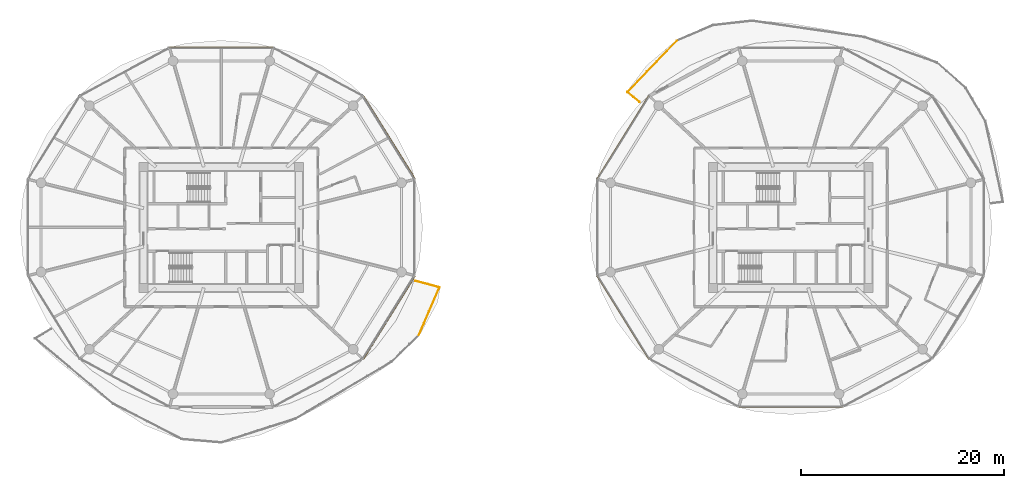
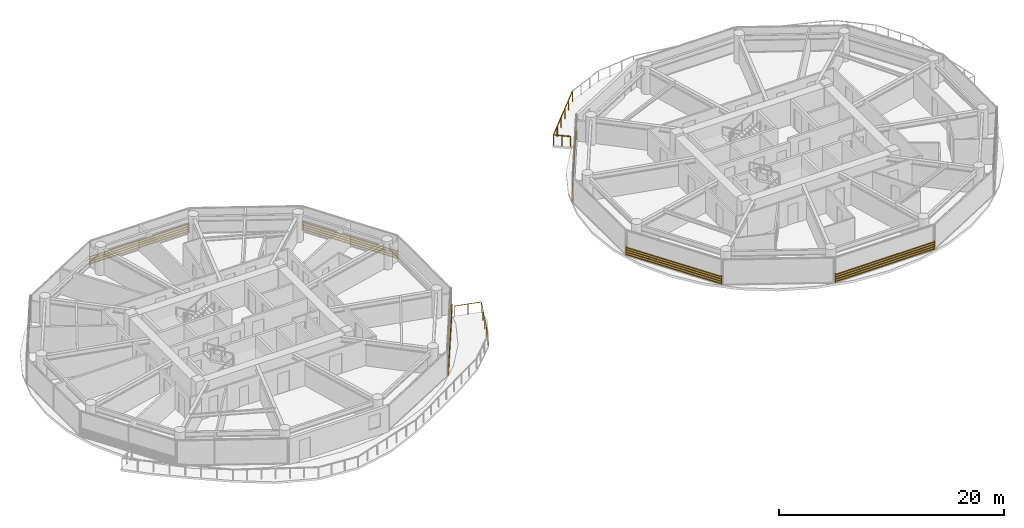
# One storey, part 24 of 26: 6 shading devices, 2 railings.
"""IFC4 building model written with IfcOpenShell, lengths in metres."""

from ifc_helpers import new_model, si_unit, direction, frame, origin, origin_2d, place, context, subcontext, project, spatial, rectangle, extrude, source, transform, mapped, material, type_object, type_shapes, element, save


model = new_model("IFC4")

# Units and contexts
model_context = context("Model", 3, precision=1e-05, world=origin(), true_north=direction((0.0, 1.0)))
body_context = subcontext(model_context, "Body", "Model", "MODEL_VIEW")
ifc_project = project(units=[si_unit("LENGTHUNIT", "METRE"), si_unit("AREAUNIT", "SQUARE_METRE"), si_unit("VOLUMEUNIT", "CUBIC_METRE"), si_unit("PLANEANGLEUNIT", "RADIAN"), si_unit("MASSUNIT", "GRAM", prefix="KILO")], contexts=[model_context])

# Site, building, storey
site_placement = place(None, origin())
site = spatial("IfcSite", under=ifc_project, at=site_placement, CompositionType="ELEMENT")
building_placement = place(site_placement, origin())
building = spatial("IfcBuilding", under=site, at=building_placement, Name="Norrkilde Senior Care Towers", CompositionType="ELEMENT")
storey_placement = place(building_placement, frame((0.0, 0.0, 49.050048828125)))
storey = spatial("IfcBuildingStorey", under=building, at=storey_placement, Name="L14", CompositionType="ELEMENT", Elevation=49.050048828125)

# Railings
ifc_material_1 = material(Name="Anodised Aluminium", Category="aluminium")
railing_type = type_object("IfcRailingType", Name="Balcony Swirl Ribbon Guardrail 1150", PredefinedType="GUARDRAIL", material=ifc_material_1)
railing_1_placement = place(storey_placement, frame((13.117919921875, 12.33837890625, 0.0)))
element("IfcRailing", 1, at=railing_1_placement, inside=storey, type_object=railing_type, Name="L14 Perimeter Safety Guard 02", PredefinedType="GUARDRAIL", context=body_context, shape_type="SweptSolid", body=[
    extrude(rectangle(XDim=0.048095703125, YDim=0.048095703125, at=origin_2d()), frame((0.0, 0.0, 1.1259765625), z_axis=(-0.77249352277, 0.635022643122, 0.0), x_axis=(-0.635022643122, -0.77249352277, 0.0)), (0.0, 0.0, 1.0), 1.484619140625),
    extrude(rectangle(XDim=0.048095703125, YDim=0.048095703125, at=origin_2d()), frame((-1.150146484375, 0.998291015625, 1.1259765625), z_axis=(0.693315249741, 0.720634418049, 0.0), x_axis=(-0.720634418049, 0.693315249741, 0.0)), (0.0, 0.0, 1.0), 6.974365234375),
    extrude(rectangle(XDim=0.0419921875, YDim=0.0419921875, at=origin_2d()), origin(), (0.0, 0.0, 1.0), 1.099853515625),
    extrude(rectangle(XDim=0.0419921875, YDim=0.0419921875, at=origin_2d()), frame((-0.58935546875, 0.484375, 0.0)), (0.0, 0.0, 1.0), 1.099853515625),
    extrude(rectangle(XDim=0.0419921875, YDim=0.0419921875, at=origin_2d()), frame((-1.178466796875, 0.96875, 0.0)), (0.0, 0.0, 1.0), 1.099853515625),
    extrude(rectangle(XDim=0.0419921875, YDim=0.0419921875, at=origin_2d()), frame((-0.205810546875, 1.979736328125, 0.0)), (0.0, 0.0, 1.0), 1.099853515625),
    extrude(rectangle(XDim=0.0419921875, YDim=0.0419921875, at=origin_2d()), frame((0.76708984375, 2.990966796875, 0.0)), (0.0, 0.0, 1.0), 1.099853515625),
    extrude(rectangle(XDim=0.0419921875, YDim=0.0419921875, at=origin_2d()), frame((1.73974609375, 4.001953125, 0.0)), (0.0, 0.0, 1.0), 1.099853515625),
    extrude(rectangle(XDim=0.0419921875, YDim=0.0419921875, at=origin_2d()), frame((2.712646484375, 5.01318359375, 0.0)), (0.0, 0.0, 1.0), 1.099853515625),
    extrude(rectangle(XDim=0.0419921875, YDim=0.0419921875, at=origin_2d()), frame((3.685302734375, 6.024169921875, 0.0)), (0.0, 0.0, 1.0), 1.099853515625),
])
railing_2_placement = place(storey_placement, frame((-8.908935546875, -5.260009765625, 0.0)))
element("IfcRailing", 2, at=railing_2_placement, inside=storey, type_object=railing_type, Name="L14 Perimeter Safety Guard 04", PredefinedType="GUARDRAIL", context=body_context, shape_type="SweptSolid", body=[
    extrude(rectangle(XDim=0.048095703125, YDim=0.048095703125, at=origin_2d()), frame((0.0, 0.0, 1.1259765625), z_axis=(0.965131354336, -0.261766057535, 0.0), x_axis=(0.261766057535, 0.965131354336, 0.0)), (0.0, 0.0, 1.0), 2.405517578125),
    extrude(rectangle(XDim=0.048095703125, YDim=0.048095703125, at=origin_2d()), frame((2.344970703125, -0.677978515625, 1.1259765625), z_axis=(-0.396574761656, -0.918002428329, 0.0), x_axis=(0.918002428329, -0.396574761656, 0.0)), (0.0, 0.0, 1.0), 5.082275390625),
    extrude(rectangle(XDim=0.0419921875, YDim=0.0419921875, at=origin_2d()), origin(), (0.0, 0.0, 1.0), 1.099853515625),
    extrude(rectangle(XDim=0.0419921875, YDim=0.0419921875, at=origin_2d()), frame((1.1806640625, -0.3203125, 0.0)), (0.0, 0.0, 1.0), 1.099853515625),
    extrude(rectangle(XDim=0.0419921875, YDim=0.0419921875, at=origin_2d()), frame((2.361083984375, -0.640380859375, 0.0)), (0.0, 0.0, 1.0), 1.099853515625),
    extrude(rectangle(XDim=0.0419921875, YDim=0.0419921875, at=origin_2d()), frame((1.85302734375, -1.816162109375, 0.0)), (0.0, 0.0, 1.0), 1.099853515625),
    extrude(rectangle(XDim=0.0419921875, YDim=0.0419921875, at=origin_2d()), frame((1.34521484375, -2.991943359375, 0.0)), (0.0, 0.0, 1.0), 1.099853515625),
    extrude(rectangle(XDim=0.0419921875, YDim=0.0419921875, at=origin_2d()), frame((0.83740234375, -4.167724609375, 0.0)), (0.0, 0.0, 1.0), 1.099853515625),
    extrude(rectangle(XDim=0.0419921875, YDim=0.0419921875, at=origin_2d()), frame((0.329345703125, -5.343505859375, 0.0)), (0.0, 0.0, 1.0), 1.099853515625),
])

# Shading devices
ifc_material_2 = material(Name="Architectural Terracotta", Category="masonry")
shading_device_type = type_object("IfcShadingDeviceType", Name="Horizontal Terracotta Baguette Rack", PredefinedType="USERDEFINED", material=ifc_material_2)
shared_shape_1 = source(origin(), body_context, "Body", "SweptSolid", [
    extrude(rectangle(XDim=0.070068359375, YDim=0.110107421875, at=origin_2d()), frame((0.0, 0.090087890625, 0.125), z_axis=(1.0, 0.0, 0.0), x_axis=(0.0, 1.0, 0.0)), (0.0, 0.0, 1.0), 9.64892578125),
    extrude(rectangle(XDim=0.070068359375, YDim=0.110107421875, at=origin_2d()), frame((0.0, 0.090087890625, 0.375), z_axis=(1.0, 0.0, 0.0), x_axis=(0.0, 1.0, 0.0)), (0.0, 0.0, 1.0), 9.64892578125),
    extrude(rectangle(XDim=0.070068359375, YDim=0.110107421875, at=origin_2d()), frame((0.0, 0.090087890625, 0.625), z_axis=(1.0, 0.0, 0.0), x_axis=(0.0, 1.0, 0.0)), (0.0, 0.0, 1.0), 9.64892578125),
    extrude(rectangle(XDim=0.070068359375, YDim=0.110107421875, at=origin_2d()), frame((0.0, 0.090087890625, 0.875), z_axis=(1.0, 0.0, 0.0), x_axis=(0.0, 1.0, 0.0)), (0.0, 0.0, 1.0), 9.64892578125),
    extrude(rectangle(XDim=0.050048828125, YDim=0.1552734375, at=origin_2d()), frame((0.02490234375, 0.047607421875, 0.0)), (0.0, 0.0, 1.0), 1.0),
    extrude(rectangle(XDim=0.050048828125, YDim=0.1552734375, at=origin_2d()), frame((9.6240234375, 0.047607421875, 0.0)), (0.0, 0.0, 1.0), 1.0),
])
for number, where, z_axis, x_axis, name in (
    (3, (-14.084228515625, 12.926025390625, 0.079833984375), (0.0, 0.0, 1.0), (0.527908506655, -0.849299124538, 0.0), "L14 Drum W Terracotta Baguette Screen 00"),
    (4, (-8.990478515625, -4.731201171875, 0.079833984375), (0.0, 0.0, 1.0), (-0.527908506655, -0.849299124538, 0.0), "L14 Drum W Terracotta Baguette Screen 10"),
    (5, (8.990478515625, 4.731201171875, 0.079833984375), (0.0, 0.0, 1.0), (0.527908506655, 0.849299124538, 0.0), "L14 Drum E Terracotta Baguette Screen 04"),
    (6, (14.084228515625, -12.926025390625, 0.079833984375), (0.0, 0.0, 1.0), (-0.527908506655, 0.849299124538, 0.0), "L14 Drum E Terracotta Baguette Screen 06"),
):
    element("IfcShadingDevice", number, at=place(storey_placement, frame(where, z_axis=z_axis, x_axis=x_axis)), inside=storey, type_object=shading_device_type, Name=name, ObjectType="BAGUETTE", PredefinedType="USERDEFINED", context=body_context, shape_type="MappedRepresentation", body=[
        mapped(shared_shape_1, transform((0.0, 0.0, 0.0), x_axis=(1.0, 0.0, 0.0), y_axis=(0.0, 1.0, 0.0), z_axis=(0.0, 0.0, 1.0), scale=1.0)),
    ])
shared_shape_2 = source(origin(), body_context, "Body", "SweptSolid", [
    extrude(rectangle(XDim=0.070068359375, YDim=0.110107421875, at=origin_2d()), frame((0.0, 0.090087890625, 0.125), z_axis=(1.0, 0.0, 0.0), x_axis=(0.0, 1.0, 0.0)), (0.0, 0.0, 1.0), 10.18701171875),
    extrude(rectangle(XDim=0.070068359375, YDim=0.110107421875, at=origin_2d()), frame((0.0, 0.090087890625, 0.375), z_axis=(1.0, 0.0, 0.0), x_axis=(0.0, 1.0, 0.0)), (0.0, 0.0, 1.0), 10.18701171875),
    extrude(rectangle(XDim=0.070068359375, YDim=0.110107421875, at=origin_2d()), frame((0.0, 0.090087890625, 0.625), z_axis=(1.0, 0.0, 0.0), x_axis=(0.0, 1.0, 0.0)), (0.0, 0.0, 1.0), 10.18701171875),
    extrude(rectangle(XDim=0.070068359375, YDim=0.110107421875, at=origin_2d()), frame((0.0, 0.090087890625, 0.875), z_axis=(1.0, 0.0, 0.0), x_axis=(0.0, 1.0, 0.0)), (0.0, 0.0, 1.0), 10.18701171875),
    extrude(rectangle(XDim=0.050048828125, YDim=0.1552734375, at=origin_2d()), frame((0.02490234375, 0.047607421875, 0.0)), (0.0, 0.0, 1.0), 1.0),
    extrude(rectangle(XDim=0.050048828125, YDim=0.1552734375, at=origin_2d()), frame((10.162109375, 0.047607421875, 0.0)), (0.0, 0.0, 1.0), 1.0),
])
type_shapes(shading_device_type, [shared_shape_1, shared_shape_2])
for number, where, z_axis, x_axis, name in (
    (7, (-33.093505859375, 17.6572265625, 0.079833984375), (0.0, 0.0, 1.0), (1.0, 0.0, 0.0), "L14 Drum W Terracotta Baguette Screen 02"),
    (8, (33.093505859375, -17.6572265625, 0.079833984375), (0.0, 0.0, 1.0), (-1.0, 0.0, 0.0), "L14 Drum E Terracotta Baguette Screen 08"),
):
    element("IfcShadingDevice", number, at=place(storey_placement, frame(where, z_axis=z_axis, x_axis=x_axis)), inside=storey, type_object=shading_device_type, Name=name, ObjectType="BAGUETTE", PredefinedType="USERDEFINED", context=body_context, shape_type="MappedRepresentation", body=[
        mapped(shared_shape_2, transform((0.0, 0.0, 0.0), x_axis=(1.0, 0.0, 0.0), y_axis=(0.0, 1.0, 0.0), z_axis=(0.0, 0.0, 1.0), scale=1.0)),
    ])

save(model, "model.ifc")
